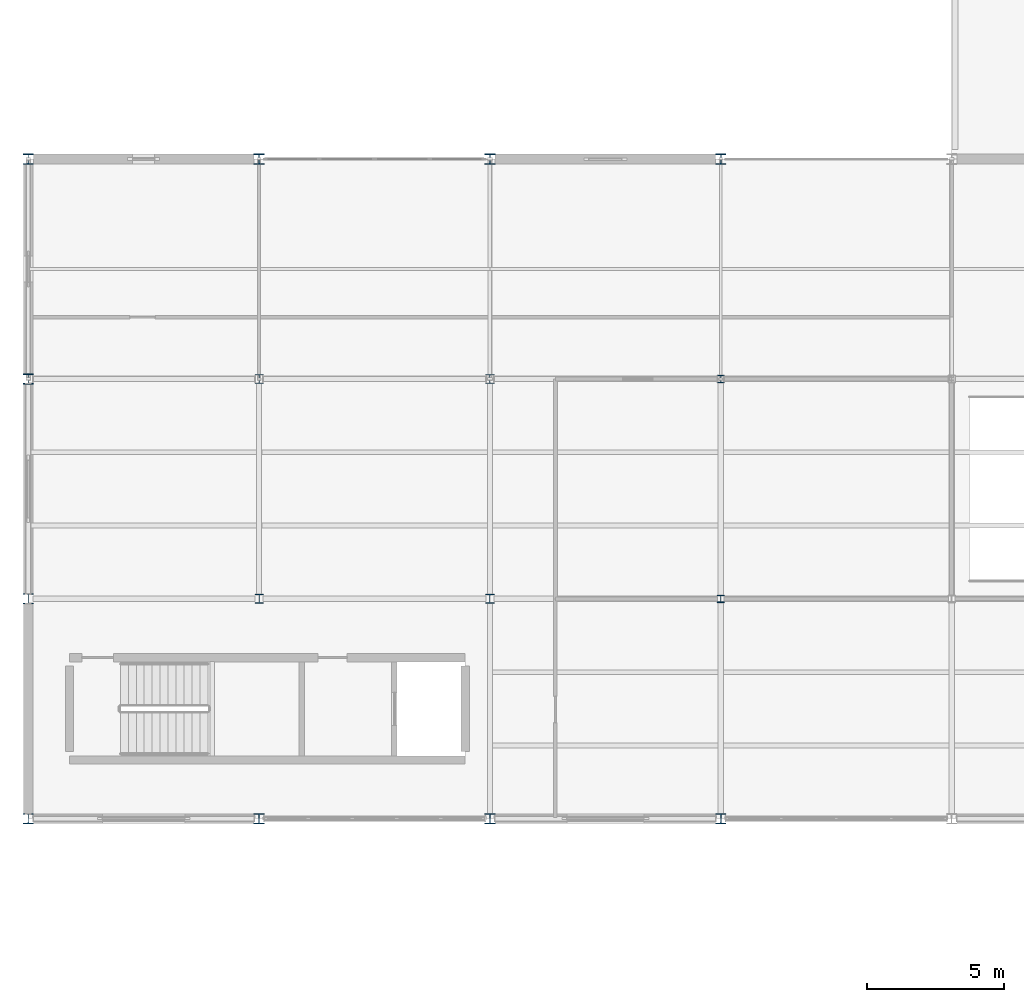
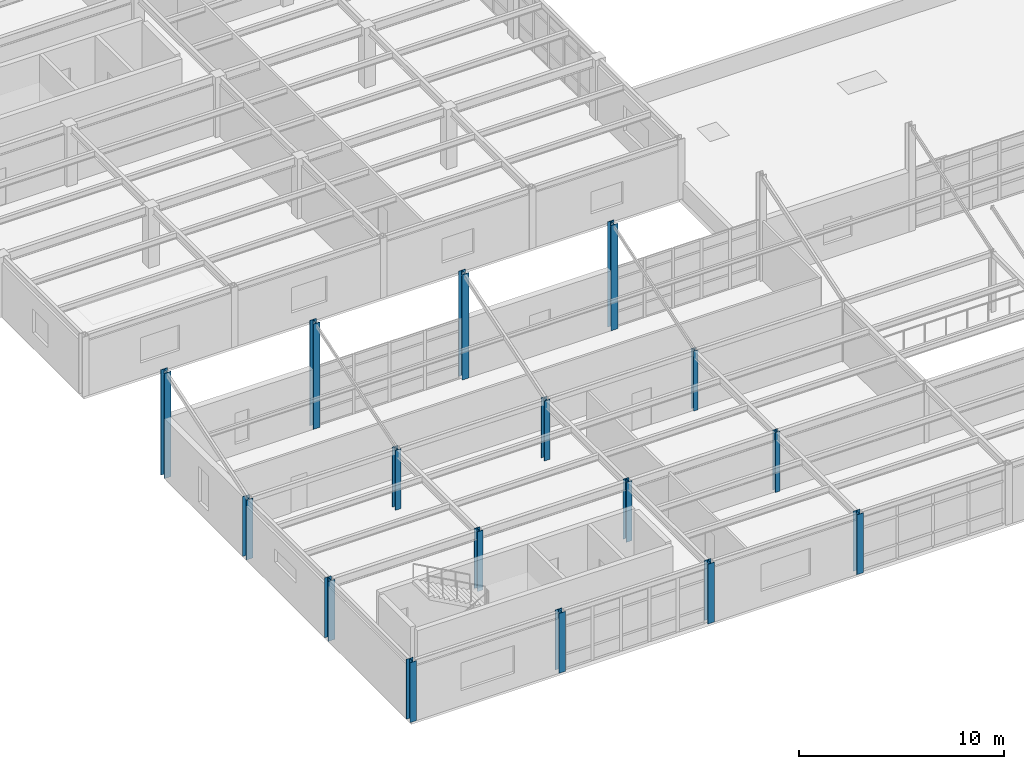
# One storey, part 1 of 96: 16 columns.
"""IFC4 building model written with IfcOpenShell, lengths in metres."""

import ifcopenshell
import ifcopenshell.guid

model = None  # the IFC model being written
_history = None  # IfcOwnerHistory: only IFC2X3 demands one
_inside = {}  # id of a spatial element -> (the spatial element, [elements in it])
_under = {}  # id of a project, library or spatial element -> (it, [spatial elements below it])
_declared = {}  # id of a project -> (the project, [libraries it declares])
_typed = {}  # id of a type object -> (the type object, [elements of that type])
_made_of = {}  # id of a material, layer set ... -> (it, [elements and type objects made of it])


def new_model(schema):
    """Start an empty IFC model of exactly this schema.

    Asked for "IFC4X3", IfcOpenShell would pick the latest addendum, in which some entities
    have other attributes; the version numbers below select the first issue.
    IFC2X3 requires an IfcOwnerHistory on every rooted entity: one is made here for all.
    """
    global model, _history
    if schema == "IFC4X3":
        model = ifcopenshell.file(schema_version=(4, 3, 0, 0))
    else:
        model = ifcopenshell.file(schema=schema)
    _inside.clear()
    _under.clear()
    _declared.clear()
    _typed.clear()
    _made_of.clear()
    _history = None
    if model.schema == "IFC2X3":
        org = make("IfcOrganization", Name="unknown")
        user = make(
            "IfcPersonAndOrganization",
            ThePerson=make("IfcPerson", FamilyName="unknown"),
            TheOrganization=org,
        )
        app = make(
            "IfcApplication",
            ApplicationDeveloper=org,
            Version="unknown",
            ApplicationFullName="unknown",
            ApplicationIdentifier="unknown",
        )
        _history = make(
            "IfcOwnerHistory",
            OwningUser=user,
            OwningApplication=app,
            ChangeAction="ADDED",
            CreationDate=0,
        )
    return model


def make(cls, **values):
    """One entity of the class cls with the attributes given. An attribute that is None is left unset."""
    return model.create_entity(
        cls, **{name: value for name, value in values.items() if value is not None}
    )


def rooted(cls, **values):
    """An entity with a GlobalId (a new one), such as an element, a storey or a relation."""
    return make(cls, GlobalId=ifcopenshell.guid.new(), OwnerHistory=_history, **values)


def si_unit(unit_type, name, prefix=None):
    """IfcSIUnit, for example si_unit("LENGTHUNIT", "METRE", prefix="MILLI")."""
    return make("IfcSIUnit", UnitType=unit_type, Prefix=prefix, Name=name)


def assignment(units):
    """IfcUnitAssignment: the units of a project."""
    return None if units is None else make("IfcUnitAssignment", Units=units)


def point(xyz):
    """IfcCartesianPoint."""
    return None if xyz is None else make("IfcCartesianPoint", Coordinates=xyz)


def direction(xyz):
    """IfcDirection."""
    return None if xyz is None else make("IfcDirection", DirectionRatios=xyz)


def frame(location, z_axis=None, x_axis=None):
    """IfcAxis2Placement3D, a coordinate frame: its origin and axes. An axis left out is left unset."""
    return make(
        "IfcAxis2Placement3D",
        Location=point(location),
        Axis=direction(z_axis),
        RefDirection=direction(x_axis),
    )


def frame_2d(location, x_axis=None):
    """IfcAxis2Placement2D, a coordinate frame in the plane: its origin and x axis."""
    return make(
        "IfcAxis2Placement2D", Location=point(location), RefDirection=direction(x_axis)
    )


def origin():
    """The frame at (0, 0, 0) with its axes left unset."""
    return frame((0.0, 0.0, 0.0))


def origin_2d():
    """The frame at (0, 0) in the plane with its x axis left unset."""
    return frame_2d((0.0, 0.0))


def place(relative_to, where):
    """IfcLocalPlacement: puts the frame where relative to a parent placement (None: the world)."""
    return make(
        "IfcLocalPlacement", PlacementRelTo=relative_to, RelativePlacement=where
    )


def context(
    kind, dimensions, precision=None, world=None, true_north=None, identifier=None
):
    """IfcGeometricRepresentationContext, for example the 3D "Model" context."""
    return make(
        "IfcGeometricRepresentationContext",
        ContextIdentifier=identifier,
        ContextType=kind,
        CoordinateSpaceDimension=dimensions,
        Precision=precision,
        WorldCoordinateSystem=world,
        TrueNorth=true_north,
    )


def subcontext(parent, identifier, kind, view, scale=None):
    """IfcGeometricRepresentationSubContext, for example "Body" below "Model"."""
    return make(
        "IfcGeometricRepresentationSubContext",
        ContextIdentifier=identifier,
        ContextType=kind,
        ParentContext=parent,
        TargetScale=scale,
        TargetView=view,
    )


def project(units=None, contexts=None):
    """IfcProject with its units and contexts."""
    return rooted(
        "IfcProject",
        Name="project",
        RepresentationContexts=contexts,
        UnitsInContext=assignment(units),
    )


def spatial(cls, under=None, at=None, **own):
    """A site, building, storey or space (cls), placed at a placement, below another one or the project."""
    s = rooted(cls, ObjectPlacement=at, **own)
    if under is not None:
        _under.setdefault(under.id(), (under, []))[1].append(s)
    return s


def profile(cls, at=None, kind="AREA", **sizes):
    """A parametric profile (cls). Its sizes go by their IFC names, for example OverallWidth=200.0."""
    return make(cls, ProfileType=kind, Position=at, **sizes)


def i_section(**sizes):
    """IfcIShapeProfileDef."""
    return profile("IfcIShapeProfileDef", **sizes)


def extrude(swept, where, along, depth):
    """IfcExtrudedAreaSolid: the profile swept, set in the frame where, extruded along a direction by depth."""
    return make(
        "IfcExtrudedAreaSolid",
        SweptArea=swept,
        Position=where,
        ExtrudedDirection=direction(along),
        Depth=depth,
    )


def shape(context_of_items, identifier, shape_type, items):
    """IfcShapeRepresentation: the items that make up one representation, for example the "Body"."""
    return make(
        "IfcShapeRepresentation",
        ContextOfItems=context_of_items,
        RepresentationIdentifier=identifier,
        RepresentationType=shape_type,
        Items=items,
    )


def material(Name=None, Category=None):
    """IfcMaterial."""
    return make("IfcMaterial", Name=Name, Category=Category)


def material_profile(
    of_material, cross_section, Name=None, Category=None, Priority=None
):
    """IfcMaterialProfile: a cross section and its material."""
    return make(
        "IfcMaterialProfile",
        Name=Name,
        Material=of_material,
        Profile=cross_section,
        Priority=Priority,
        Category=Category,
    )


def profile_set(profiles, Name=None, composite=None):
    """IfcMaterialProfileSet."""
    return make(
        "IfcMaterialProfileSet",
        Name=Name,
        MaterialProfiles=profiles,
        CompositeProfile=composite,
    )


def made_of(thing, what):
    """Note that an element or type object is made of a material, layer set ...; save() writes the relation."""
    if what is not None:
        _made_of.setdefault(what.id(), (what, []))[1].append(thing)
    return thing


def type_object(cls, material=None, **own):
    """A type object (cls), such as IfcWallType, which elements share."""
    return made_of(rooted(cls, **own), material)


def element(
    cls,
    number,
    at=None,
    inside=None,
    cuts=None,
    type_object=None,
    material=None,
    context=None,
    identifier="Body",
    shape_type=None,
    held_by="IfcProductDefinitionShape",
    body=None,
    shapes=None,
    **own,
):
    """One element of the class cls, such as IfcWall. Its Tag is "e" and its number.

    at: its placement. inside: the storey or other place that contains it. cuts: it is an
    opening in that element (IfcRelVoidsElement). A single representation is given by context,
    identifier, shape_type and body (its items); several are given by shapes. held_by: the class
    of the entity that holds the representations. save() writes the other relations.
    """
    e = rooted(cls, Tag="e%d" % number, ObjectPlacement=at, **own)
    if body is not None:
        shapes = [shape(context, identifier, shape_type, body)]
    if shapes is not None:
        e.Representation = make(held_by, Representations=shapes)
    if inside is not None:
        _inside.setdefault(inside.id(), (inside, []))[1].append(e)
    if cuts is not None:
        rooted(
            "IfcRelVoidsElement", RelatingBuildingElement=cuts, RelatedOpeningElement=e
        )
    if type_object is not None:
        _typed.setdefault(type_object.id(), (type_object, []))[1].append(e)
    return made_of(e, material)


def aggregate(whole, parts):
    """IfcRelAggregates: a whole, such as a stair, and the parts it consists of."""
    return rooted("IfcRelAggregates", RelatingObject=whole, RelatedObjects=parts)


def save(model, path):
    """Write the relations noted so far, then the file.

    IfcRelAggregates (storeys below a building ...), IfcRelContainedInSpatialStructure (elements
    in a storey), IfcRelDefinesByType, IfcRelAssociatesMaterial and IfcRelDeclares: one each for
    every whole, place, type object, material and project.
    """
    for whole, parts in _under.values():
        aggregate(whole, parts)
    for where, things in _inside.values():
        rooted(
            "IfcRelContainedInSpatialStructure",
            RelatedElements=things,
            RelatingStructure=where,
        )
    for kind, things in _typed.values():
        rooted("IfcRelDefinesByType", RelatedObjects=things, RelatingType=kind)
    for what, things in _made_of.values():
        rooted("IfcRelAssociatesMaterial", RelatedObjects=things, RelatingMaterial=what)
    for by, libraries in _declared.values():
        rooted("IfcRelDeclares", RelatingContext=by, RelatedDefinitions=libraries)
    model.write(path)


model = new_model("IFC4")

# Units and contexts
model_context = context("Model", 3, precision=1e-05, world=origin(), true_north=direction((0.0, 1.0)))
body_context = subcontext(model_context, "Body", "Model", "MODEL_VIEW")
ifc_project = project(units=[si_unit("LENGTHUNIT", "METRE"), si_unit("AREAUNIT", "SQUARE_METRE"), si_unit("VOLUMEUNIT", "CUBIC_METRE"), si_unit("PLANEANGLEUNIT", "RADIAN"), si_unit("MASSUNIT", "GRAM", prefix="KILO")], contexts=[model_context])

# Site, building, storey
site_placement = place(None, origin())
site = spatial("IfcSite", under=ifc_project, at=site_placement, CompositionType="ELEMENT")
building_placement = place(site_placement, origin())
building = spatial("IfcBuilding", under=site, at=building_placement, Name="Kranzveld Transit Interchange", CompositionType="ELEMENT")
storey_placement = place(building_placement, frame((0.0, 0.0, 9.52001953125)))
storey = spatial("IfcBuildingStorey", under=building, at=storey_placement, Name="L02", CompositionType="ELEMENT", Elevation=9.52001953125)

# Columns
ifc_material_1 = material(Name="Steel S355JR", Category="steel")
ifc_material_profile_1 = material_profile(ifc_material_1, i_section(OverallWidth=0.2587890625, OverallDepth=0.2666015625, WebThickness=0.0126953125, FlangeThickness=0.0205078125, FilletRadius=0.0126953125, at=origin_2d()), Name="UC 254x254x107")
ifc_profile_set_1 = profile_set([ifc_material_profile_1], Name="Steel S355JR")
column_type_1 = type_object("IfcColumnType", Name="Column Steel UC 254x254x107 S355JR", PredefinedType="COLUMN", material=ifc_profile_set_1)
for number, where, z_axis, x_axis, name in (
    (1, (25.199951171875, 24.0, 0.0), (0.0, 0.0, 1.0), (1.0, 0.0, 0.0), "L02 Column 04/D"),
    (2, (25.199951171875, 32.0, 0.0), (0.0, 0.0, 1.0), (1.0, 0.0, 0.0), "L02 Column 04/E"),
):
    element("IfcColumn", number, at=place(storey_placement, frame(where, z_axis=z_axis, x_axis=x_axis)), inside=storey, type_object=column_type_1, Name=name, PredefinedType="COLUMN", context=body_context, shape_type="SweptSolid", body=[
        extrude(i_section(OverallWidth=0.2587890625, OverallDepth=0.2666015625, WebThickness=0.0126953125, FlangeThickness=0.0205078125, FilletRadius=0.0126953125, at=origin_2d()), origin(), (0.0, 0.0, 1.0), 3.570068359375),
    ])
ifc_material_2 = material(Name="Steel S355JR", Category="steel")
ifc_material_profile_2 = material_profile(ifc_material_2, i_section(OverallWidth=0.314453125, OverallDepth=0.33984375, WebThickness=0.01904296875, FlangeThickness=0.031494140625, FilletRadius=0.01513671875, at=origin_2d()), Name="UC 305x305x198")
ifc_profile_set_2 = profile_set([ifc_material_profile_2], Name="Steel S355JR")
column_type_2 = type_object("IfcColumnType", Name="Column Steel UC 305x305x198 S355JR", PredefinedType="COLUMN", material=ifc_profile_set_2)
for number, where, z_axis, x_axis, name in (
    (3, (8.39990234375, 24.0, 0.0), (0.0, 0.0, 1.0), (1.0, 0.0, 0.0), "L02 Column 02/D"),
    (4, (8.39990234375, 32.0, 0.0), (0.0, 0.0, 1.0), (1.0, 0.0, 0.0), "L02 Column 02/E"),
    (5, (16.800048828125, 24.0, 0.0), (0.0, 0.0, 1.0), (1.0, 0.0, 0.0), "L02 Column 03/D"),
    (6, (16.800048828125, 32.0, 0.0), (0.0, 0.0, 1.0), (1.0, 0.0, 0.0), "L02 Column 03/E"),
):
    element("IfcColumn", number, at=place(storey_placement, frame(where, z_axis=z_axis, x_axis=x_axis)), inside=storey, type_object=column_type_2, Name=name, PredefinedType="COLUMN", context=body_context, shape_type="SweptSolid", body=[
        extrude(i_section(OverallWidth=0.314453125, OverallDepth=0.33984375, WebThickness=0.01904296875, FlangeThickness=0.031494140625, FilletRadius=0.01513671875, at=origin_2d()), origin(), (0.0, 0.0, 1.0), 3.570068359375),
    ])
ifc_material_3 = material(Name="Steel S355JR", Category="steel")
ifc_material_profile_3 = material_profile(ifc_material_3, i_section(OverallWidth=0.374755859375, OverallDepth=0.37451171875, WebThickness=0.0166015625, FlangeThickness=0.027099609375, FilletRadius=0.01513671875, at=origin_2d()), Name="UC 356x368x202")
ifc_profile_set_3 = profile_set([ifc_material_profile_3], Name="Steel S355JR")
column_type_3 = type_object("IfcColumnType", Name="Column Steel UC 356x368x202 S355JR", PredefinedType="COLUMN", material=ifc_profile_set_3)
for number, where, z_axis, x_axis, name in (
    (7, (0.0, 16.0, 0.0), (0.0, 0.0, 1.0), (1.0, 0.0, 0.0), "L02 Column 01/C"),
    (8, (0.0, 24.0, 0.0), (0.0, 0.0, 1.0), (1.0, 0.0, 0.0), "L02 Column 01/D"),
    (9, (0.0, 32.0, 0.0), (0.0, 0.0, 1.0), (1.0, 0.0, 0.0), "L02 Column 01/E"),
):
    element("IfcColumn", number, at=place(storey_placement, frame(where, z_axis=z_axis, x_axis=x_axis)), inside=storey, type_object=column_type_3, Name=name, PredefinedType="COLUMN", context=body_context, shape_type="SweptSolid", body=[
        extrude(i_section(OverallWidth=0.374755859375, OverallDepth=0.37451171875, WebThickness=0.0166015625, FlangeThickness=0.027099609375, FilletRadius=0.01513671875, at=origin_2d()), origin(), (0.0, 0.0, 1.0), 3.570068359375),
    ])
column_1_placement = place(storey_placement, frame((0.0, 40.0, 0.0), z_axis=(0.0, 0.0, 1.0), x_axis=(1.0, 0.0, 0.0)))
element("IfcColumn", 10, at=column_1_placement, inside=storey, type_object=column_type_3, Name="L02 Column 01/F", PredefinedType="COLUMN", context=body_context, shape_type="SweptSolid", body=[
    extrude(i_section(OverallWidth=0.374755859375, OverallDepth=0.37451171875, WebThickness=0.0166015625, FlangeThickness=0.027099609375, FilletRadius=0.01513671875, at=origin_2d()), origin(), (0.0, 0.0, 1.0), 6.27490234375),
])
column_2_placement = place(storey_placement, frame((8.39990234375, 16.0, 0.0), z_axis=(0.0, 0.0, 1.0), x_axis=(1.0, 0.0, 0.0)))
element("IfcColumn", 11, at=column_2_placement, inside=storey, type_object=column_type_3, Name="L02 Column 02/C", PredefinedType="COLUMN", context=body_context, shape_type="SweptSolid", body=[
    extrude(i_section(OverallWidth=0.374755859375, OverallDepth=0.37451171875, WebThickness=0.0166015625, FlangeThickness=0.027099609375, FilletRadius=0.01513671875, at=origin_2d()), origin(), (0.0, 0.0, 1.0), 3.570068359375),
])
column_3_placement = place(storey_placement, frame((8.39990234375, 40.0, 0.0), z_axis=(0.0, 0.0, 1.0), x_axis=(1.0, 0.0, 0.0)))
element("IfcColumn", 12, at=column_3_placement, inside=storey, type_object=column_type_3, Name="L02 Column 02/F", PredefinedType="COLUMN", context=body_context, shape_type="SweptSolid", body=[
    extrude(i_section(OverallWidth=0.374755859375, OverallDepth=0.37451171875, WebThickness=0.0166015625, FlangeThickness=0.027099609375, FilletRadius=0.01513671875, at=origin_2d()), origin(), (0.0, 0.0, 1.0), 6.27490234375),
])
column_4_placement = place(storey_placement, frame((16.800048828125, 16.0, 0.0), z_axis=(0.0, 0.0, 1.0), x_axis=(1.0, 0.0, 0.0)))
element("IfcColumn", 13, at=column_4_placement, inside=storey, type_object=column_type_3, Name="L02 Column 03/C", PredefinedType="COLUMN", context=body_context, shape_type="SweptSolid", body=[
    extrude(i_section(OverallWidth=0.374755859375, OverallDepth=0.37451171875, WebThickness=0.0166015625, FlangeThickness=0.027099609375, FilletRadius=0.01513671875, at=origin_2d()), origin(), (0.0, 0.0, 1.0), 3.570068359375),
])
column_5_placement = place(storey_placement, frame((16.800048828125, 40.0, 0.0), z_axis=(0.0, 0.0, 1.0), x_axis=(1.0, 0.0, 0.0)))
element("IfcColumn", 14, at=column_5_placement, inside=storey, type_object=column_type_3, Name="L02 Column 03/F", PredefinedType="COLUMN", context=body_context, shape_type="SweptSolid", body=[
    extrude(i_section(OverallWidth=0.374755859375, OverallDepth=0.37451171875, WebThickness=0.0166015625, FlangeThickness=0.027099609375, FilletRadius=0.01513671875, at=origin_2d()), origin(), (0.0, 0.0, 1.0), 6.27490234375),
])
column_6_placement = place(storey_placement, frame((25.199951171875, 16.0, 0.0), z_axis=(0.0, 0.0, 1.0), x_axis=(1.0, 0.0, 0.0)))
element("IfcColumn", 15, at=column_6_placement, inside=storey, type_object=column_type_3, Name="L02 Column 04/C", PredefinedType="COLUMN", context=body_context, shape_type="SweptSolid", body=[
    extrude(i_section(OverallWidth=0.374755859375, OverallDepth=0.37451171875, WebThickness=0.0166015625, FlangeThickness=0.027099609375, FilletRadius=0.01513671875, at=origin_2d()), origin(), (0.0, 0.0, 1.0), 3.570068359375),
])
column_7_placement = place(storey_placement, frame((25.199951171875, 40.0, 0.0), z_axis=(0.0, 0.0, 1.0), x_axis=(1.0, 0.0, 0.0)))
element("IfcColumn", 16, at=column_7_placement, inside=storey, type_object=column_type_3, Name="L02 Column 04/F", PredefinedType="COLUMN", context=body_context, shape_type="SweptSolid", body=[
    extrude(i_section(OverallWidth=0.374755859375, OverallDepth=0.37451171875, WebThickness=0.0166015625, FlangeThickness=0.027099609375, FilletRadius=0.01513671875, at=origin_2d()), origin(), (0.0, 0.0, 1.0), 6.27490234375),
])

save(model, "model.ifc")
